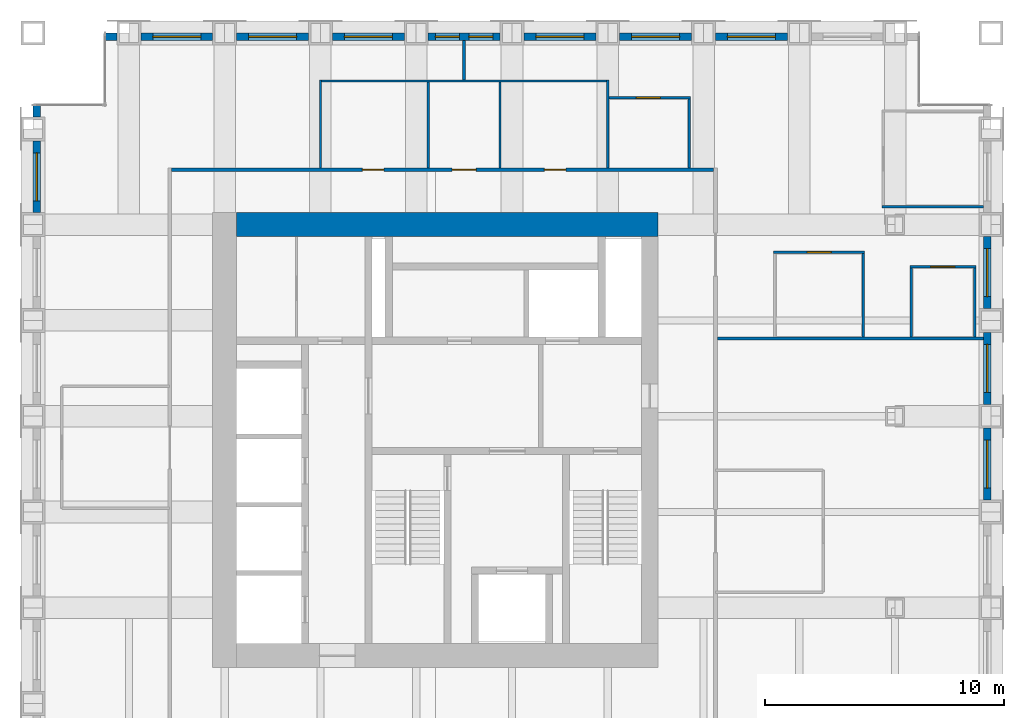
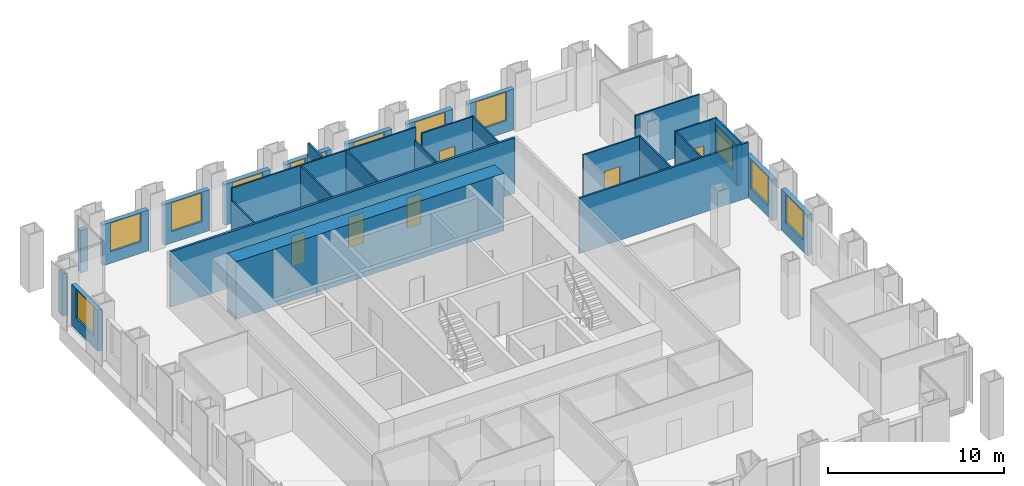
# One storey, part 10 of 13: 30 walls, 12 windows, 6 doors, 18 openings.
"""IFC4 building model written with IfcOpenShell, lengths in metres."""

from ifc_helpers import new_model, si_unit, direction, frame, frame_2d, origin, place, context, subcontext, project, spatial, rectangle, extrude, material, layer, layer_set, type_object, element, fill, save


model = new_model("IFC4")

# Units and contexts
model_context = context("Model", 3, precision=1e-05, world=origin(), true_north=direction((0.0, 1.0)))
body_context = subcontext(model_context, "Body", "Model", "MODEL_VIEW")
ifc_project = project(units=[si_unit("LENGTHUNIT", "METRE"), si_unit("AREAUNIT", "SQUARE_METRE"), si_unit("VOLUMEUNIT", "CUBIC_METRE"), si_unit("PLANEANGLEUNIT", "RADIAN"), si_unit("MASSUNIT", "GRAM", prefix="KILO")], contexts=[model_context])

# Site, building, storey
site_placement = place(None, origin())
site = spatial("IfcSite", under=ifc_project, at=site_placement, CompositionType="ELEMENT")
building_placement = place(site_placement, origin())
building = spatial("IfcBuilding", under=site, at=building_placement, Name="Rimbunsela Tower", CompositionType="ELEMENT")
storey_placement = place(building_placement, frame((0.0, 0.0, 254.199951171875)))
storey = spatial("IfcBuildingStorey", under=building, at=storey_placement, Name="L61", CompositionType="ELEMENT", Elevation=254.199951171875)

# Wall
ifc_material_1 = material(Name="Concrete fc' 80 MPa", Category="concrete")
ifc_layer_1 = layer(ifc_material_1, 1.0)
ifc_layer_set_1 = layer_set([ifc_layer_1], Name="Core wall 1000")
wall_type_1 = type_object("IfcWallType", Name="Core wall 1000", PredefinedType="SHEAR", material=ifc_layer_set_1)
wall_1_placement = place(storey_placement, frame((18.5, 36.0, -0.14990234375), z_axis=(0.0, 0.0, 1.0), x_axis=(1.0, 0.0, 0.0)))
element("IfcWall", 1, at=wall_1_placement, inside=storey, type_object=wall_type_1, Name="Core wall north", PredefinedType="SHEAR", context=body_context, shape_type="SweptSolid", body=[
    extrude(rectangle(XDim=17.60009765625, YDim=1.0, at=frame_2d((8.800048828125, 0.0))), origin(), (0.0, 0.0, 1.0), 4.0),
])

# Wall, opening, door
ifc_material_2 = material(Name="Gypsum board on steel studs", Category="steel")
ifc_layer_2 = layer(ifc_material_2, 0.10009765625)
ifc_layer_set_2 = layer_set([ifc_layer_2], Name="Office partition 100")
wall_type_2 = type_object("IfcWallType", Name="Office partition 100", PredefinedType="PARTITIONING", material=ifc_layer_set_2)
wall_2_placement = place(storey_placement, frame((46.625, 34.25, 0.0), z_axis=(0.0, 0.0, 1.0), x_axis=(1.0, 0.0, 0.0)))
wall_2 = element("IfcWall", 2, at=wall_2_placement, inside=storey, type_object=wall_type_2, Name="Office partition", PredefinedType="PARTITIONING", context=body_context, shape_type="SweptSolid", body=[
    extrude(rectangle(XDim=2.75, YDim=0.10009765625, at=frame_2d((1.375, 0.0))), origin(), (0.0, 0.0, 1.0), 3.85009765625),
])
opening_1_placement = place(wall_2_placement, frame((0.875, 0.0, 0.0)))
opening_1 = element("IfcOpeningElement", 3, at=opening_1_placement, cuts=wall_2, Name="Opening D16", PredefinedType="OPENING", context=body_context, shape_type="SweptSolid", body=[
    extrude(rectangle(XDim=1.0, YDim=2.199951171875, at=frame_2d((0.5, 1.10009765625))), frame((0.0, 0.06005859375, 0.0), z_axis=(0.0, -1.0, 0.0), x_axis=(1.0, 0.0, 0.0)), (0.0, 0.0, 1.0), 0.1201171875),
])
ifc_material_3 = material(Name="Timber door", Category="wood")
door_type_1 = type_object("IfcDoorType", Name="Office door 1000", OperationType="SINGLE_SWING_LEFT", PredefinedType="DOOR", material=ifc_material_3)
door_1_placement = place(opening_1_placement, origin())
door_1 = element("IfcDoor", 4, at=door_1_placement, inside=storey, type_object=door_type_1, Name="Office door", OperationType="SINGLE_SWING_LEFT", OverallHeight=2.199951171875, OverallWidth=1.0, PredefinedType="DOOR", context=body_context, shape_type="SweptSolid", body=[
    extrude(rectangle(XDim=1.0, YDim=2.199951171875, at=frame_2d((0.5, 1.10009765625))), frame((0.0, 0.02490234375, 0.0), z_axis=(0.0, -1.0, 0.0), x_axis=(1.0, 0.0, 0.0)), (0.0, 0.0, 1.0), 0.050048828125),
])
fill(opening_1, door_1)

wall_3_placement = place(storey_placement, frame((40.925048828125, 34.85009765625, 0.0), z_axis=(0.0, 0.0, 1.0), x_axis=(1.0, 0.0, 0.0)))
wall_3 = element("IfcWall", 5, at=wall_3_placement, inside=storey, type_object=wall_type_2, Name="Office partition", PredefinedType="PARTITIONING", context=body_context, shape_type="SweptSolid", body=[
    extrude(rectangle(XDim=3.800048828125, YDim=0.10009765625, at=frame_2d((1.89990234375, 0.0))), origin(), (0.0, 0.0, 1.0), 3.85009765625),
])
opening_2_placement = place(wall_3_placement, frame((1.39990234375, 0.0, 0.0)))
opening_2 = element("IfcOpeningElement", 6, at=opening_2_placement, cuts=wall_3, Name="Opening D17", PredefinedType="OPENING", context=body_context, shape_type="SweptSolid", body=[
    extrude(rectangle(XDim=1.0, YDim=2.199951171875, at=frame_2d((0.5, 1.10009765625))), frame((0.0, 0.06005859375, 0.0), z_axis=(0.0, -1.0, 0.0), x_axis=(1.0, 0.0, 0.0)), (0.0, 0.0, 1.0), 0.1201171875),
])
ifc_material_4 = material(Name="Glazed aluminium door", Category="aluminium")
door_type_2 = type_object("IfcDoorType", Name="Meeting room door 1000 glazed", OperationType="SINGLE_SWING_RIGHT", PredefinedType="DOOR", material=ifc_material_4)
door_2_placement = place(opening_2_placement, origin())
door_2 = element("IfcDoor", 7, at=door_2_placement, inside=storey, type_object=door_type_2, Name="Meeting room door", OperationType="SINGLE_SWING_RIGHT", OverallHeight=2.199951171875, OverallWidth=1.0, PredefinedType="DOOR", context=body_context, shape_type="SweptSolid", body=[
    extrude(rectangle(XDim=1.0, YDim=2.199951171875, at=frame_2d((0.5, 1.10009765625))), frame((0.0, 0.02490234375, 0.0), z_axis=(0.0, -1.0, 0.0), x_axis=(1.0, 0.0, 0.0)), (0.0, 0.0, 1.0), 0.050048828125),
])
fill(opening_2, door_2)

# Wall
wall_4_placement = place(storey_placement, frame((45.449951171875, 36.75, 0.0), z_axis=(0.0, 0.0, 1.0), x_axis=(1.0, 0.0, 0.0)))
element("IfcWall", 8, at=wall_4_placement, inside=storey, type_object=wall_type_2, Name="Office partition", PredefinedType="PARTITIONING", context=body_context, shape_type="SweptSolid", body=[
    extrude(rectangle(XDim=4.25, YDim=0.10009765625, at=frame_2d((2.125, 0.0))), origin(), (0.0, 0.0, 1.0), 3.85009765625),
])

# Wall, opening, door
wall_5_placement = place(storey_placement, frame((34.050048828125, 41.300048828125, 0.0), z_axis=(0.0, 0.0, 1.0), x_axis=(1.0, 0.0, 0.0)))
wall_5 = element("IfcWall", 9, at=wall_5_placement, inside=storey, type_object=wall_type_2, Name="Office partition", PredefinedType="PARTITIONING", context=body_context, shape_type="SweptSolid", body=[
    extrude(rectangle(XDim=3.39990234375, YDim=0.10009765625, at=frame_2d((1.699951171875, 0.0))), origin(), (0.0, 0.0, 1.0), 3.85009765625),
])
opening_3_placement = place(wall_5_placement, frame((1.14990234375, 0.0, 0.0)))
opening_3 = element("IfcOpeningElement", 10, at=opening_3_placement, cuts=wall_5, Name="Opening D16", PredefinedType="OPENING", context=body_context, shape_type="SweptSolid", body=[
    extrude(rectangle(XDim=1.0, YDim=2.199951171875, at=frame_2d((0.5, 1.10009765625))), frame((0.0, 0.06005859375, 0.0), z_axis=(0.0, -1.0, 0.0), x_axis=(1.0, 0.0, 0.0)), (0.0, 0.0, 1.0), 0.1201171875),
])
door_3_placement = place(opening_3_placement, origin())
door_3 = element("IfcDoor", 11, at=door_3_placement, inside=storey, type_object=door_type_1, Name="Office door", OperationType="SINGLE_SWING_LEFT", OverallHeight=2.199951171875, OverallWidth=1.0, PredefinedType="DOOR", context=body_context, shape_type="SweptSolid", body=[
    extrude(rectangle(XDim=1.0, YDim=2.199951171875, at=frame_2d((0.5, 1.10009765625))), frame((0.0, 0.02490234375, 0.0), z_axis=(0.0, -1.0, 0.0), x_axis=(1.0, 0.0, 0.0)), (0.0, 0.0, 1.0), 0.050048828125),
])
fill(opening_3, door_3)

# Walls
wall_6_placement = place(storey_placement, frame((37.39990234375, 38.375, 0.0), z_axis=(0.0, 0.0, 1.0), x_axis=(0.0, 1.0, 0.0)))
element("IfcWall", 12, at=wall_6_placement, inside=storey, type_object=wall_type_2, Name="Office partition", PredefinedType="PARTITIONING", context=body_context, shape_type="SweptSolid", body=[
    extrude(rectangle(XDim=2.875, YDim=0.10009765625, at=frame_2d((1.4375, 0.0))), origin(), (0.0, 0.0, 1.0), 3.85009765625),
])
wall_7_placement = place(storey_placement, frame((44.675048828125, 31.31005859375, 0.0), z_axis=(0.0, 0.0, 1.0), x_axis=(0.0, 1.0, 0.0)))
element("IfcWall", 13, at=wall_7_placement, inside=storey, type_object=wall_type_2, Name="Office partition", PredefinedType="PARTITIONING", context=body_context, shape_type="SweptSolid", body=[
    extrude(rectangle(XDim=3.489990234375, YDim=0.10009765625, at=frame_2d((1.7451171875, 0.0))), origin(), (0.0, 0.0, 1.0), 3.85009765625),
])
for number, where, z_axis, x_axis, name in (
    (14, (46.675048828125, 31.31005859375, 0.0), (0.0, 0.0, 1.0), (0.0, 1.0, 0.0), "Office partition"),
    (15, (49.324951171875, 31.31005859375, 0.0), (0.0, 0.0, 1.0), (0.0, 1.0, 0.0), "Office partition"),
):
    element("IfcWall", number, at=place(storey_placement, frame(where, z_axis=z_axis, x_axis=x_axis)), inside=storey, type_object=wall_type_2, Name=name, PredefinedType="PARTITIONING", context=body_context, shape_type="SweptSolid", body=[
        extrude(rectangle(XDim=2.889892578125, YDim=0.10009765625, at=frame_2d((1.44482421875, 0.0))), origin(), (0.0, 0.0, 1.0), 3.85009765625),
    ])

# Wall, opening, window
ifc_material_5 = material(Name="Precast concrete fc' 35 MPa", Category="concrete")
ifc_layer_3 = layer(ifc_material_5, 0.300048828125)
ifc_layer_set_3 = layer_set([ifc_layer_3], Name="Precast concrete fc' 35 MPa")
wall_type_3 = type_object("IfcWallType", Name="Precast facade panel 300", PredefinedType="ELEMENTEDWALL", material=ifc_layer_set_3)
wall_8_placement = place(storey_placement, frame((49.85009765625, 24.5, 0.0), z_axis=(0.0, 0.0, 1.0), x_axis=(0.0, 1.0, 0.0)))
wall_8 = element("IfcWall", 16, at=wall_8_placement, inside=storey, type_object=wall_type_3, Name="Facade panel E L61", PredefinedType="ELEMENTEDWALL", context=body_context, shape_type="SweptSolid", body=[
    extrude(rectangle(XDim=3.0, YDim=0.300048828125, at=frame_2d((1.5, 0.0))), origin(), (0.0, 0.0, 1.0), 2.85009765625),
])
opening_4_placement = place(wall_8_placement, frame((0.5, 0.0, 0.800048828125)))
opening_4 = element("IfcOpeningElement", 17, at=opening_4_placement, cuts=wall_8, Name="Opening W1", PredefinedType="OPENING", context=body_context, shape_type="SweptSolid", body=[
    extrude(rectangle(XDim=2.0, YDim=2.0, at=frame_2d((1.0, 1.0))), frame((0.0, 0.159912109375, 0.0), z_axis=(0.0, -1.0, 0.0), x_axis=(1.0, 0.0, 0.0)), (0.0, 0.0, 1.0), 0.320068359375),
])
ifc_material_6 = material(Name="Clear glass in aluminium frame", Category="aluminium")
window_type_1 = type_object("IfcWindowType", Name="Window W1 2000x2000", PartitioningType="DOUBLE_PANEL_VERTICAL", PredefinedType="WINDOW", material=ifc_material_6)
window_1_placement = place(opening_4_placement, origin())
window_1 = element("IfcWindow", 18, at=window_1_placement, inside=storey, type_object=window_type_1, Name="Window L61", OverallHeight=2.0, OverallWidth=2.0, PartitioningType="SINGLE_PANEL", PredefinedType="WINDOW", context=body_context, shape_type="SweptSolid", body=[
    extrude(rectangle(XDim=2.0, YDim=2.0, at=frame_2d((1.0, 1.0))), frame((0.0, 0.030029296875, 0.0), z_axis=(0.0, -1.0, 0.0), x_axis=(1.0, 0.0, 0.0)), (0.0, 0.0, 1.0), 0.06005859375),
])
fill(opening_4, window_1)

wall_9_placement = place(storey_placement, frame((49.85009765625, 28.5, 0.0), z_axis=(0.0, 0.0, 1.0), x_axis=(0.0, 1.0, 0.0)))
wall_9 = element("IfcWall", 19, at=wall_9_placement, inside=storey, type_object=wall_type_3, Name="Facade panel E L61", PredefinedType="ELEMENTEDWALL", context=body_context, shape_type="SweptSolid", body=[
    extrude(rectangle(XDim=3.0, YDim=0.300048828125, at=frame_2d((1.5, 0.0))), origin(), (0.0, 0.0, 1.0), 2.85009765625),
])
opening_5_placement = place(wall_9_placement, frame((0.5, 0.0, 0.800048828125)))
opening_5 = element("IfcOpeningElement", 20, at=opening_5_placement, cuts=wall_9, Name="Opening W1", PredefinedType="OPENING", context=body_context, shape_type="SweptSolid", body=[
    extrude(rectangle(XDim=2.0, YDim=2.0, at=frame_2d((1.0, 1.0))), frame((0.0, 0.159912109375, 0.0), z_axis=(0.0, -1.0, 0.0), x_axis=(1.0, 0.0, 0.0)), (0.0, 0.0, 1.0), 0.320068359375),
])
window_2_placement = place(opening_5_placement, origin())
window_2 = element("IfcWindow", 21, at=window_2_placement, inside=storey, type_object=window_type_1, Name="Window L61", OverallHeight=2.0, OverallWidth=2.0, PartitioningType="SINGLE_PANEL", PredefinedType="WINDOW", context=body_context, shape_type="SweptSolid", body=[
    extrude(rectangle(XDim=2.0, YDim=2.0, at=frame_2d((1.0, 1.0))), frame((0.0, 0.030029296875, 0.0), z_axis=(0.0, -1.0, 0.0), x_axis=(1.0, 0.0, 0.0)), (0.0, 0.0, 1.0), 0.06005859375),
])
fill(opening_5, window_2)

wall_10_placement = place(storey_placement, frame((49.85009765625, 32.5, 0.0), z_axis=(0.0, 0.0, 1.0), x_axis=(0.0, 1.0, 0.0)))
wall_10 = element("IfcWall", 22, at=wall_10_placement, inside=storey, type_object=wall_type_3, Name="Facade panel E L61", PredefinedType="ELEMENTEDWALL", context=body_context, shape_type="SweptSolid", body=[
    extrude(rectangle(XDim=3.0, YDim=0.300048828125, at=frame_2d((1.5, 0.0))), origin(), (0.0, 0.0, 1.0), 2.85009765625),
])
opening_6_placement = place(wall_10_placement, frame((0.5, 0.0, 0.800048828125)))
opening_6 = element("IfcOpeningElement", 23, at=opening_6_placement, cuts=wall_10, Name="Opening W1", PredefinedType="OPENING", context=body_context, shape_type="SweptSolid", body=[
    extrude(rectangle(XDim=2.0, YDim=2.0, at=frame_2d((1.0, 1.0))), frame((0.0, 0.159912109375, 0.0), z_axis=(0.0, -1.0, 0.0), x_axis=(1.0, 0.0, 0.0)), (0.0, 0.0, 1.0), 0.320068359375),
])
window_3_placement = place(opening_6_placement, origin())
window_3 = element("IfcWindow", 24, at=window_3_placement, inside=storey, type_object=window_type_1, Name="Window L61", OverallHeight=2.0, OverallWidth=2.0, PartitioningType="SINGLE_PANEL", PredefinedType="WINDOW", context=body_context, shape_type="SweptSolid", body=[
    extrude(rectangle(XDim=2.0, YDim=2.0, at=frame_2d((1.0, 1.0))), frame((0.0, 0.030029296875, 0.0), z_axis=(0.0, -1.0, 0.0), x_axis=(1.0, 0.0, 0.0)), (0.0, 0.0, 1.0), 0.06005859375),
])
fill(opening_6, window_3)

# Wall
wall_11_placement = place(storey_placement, frame((13.5, 43.85009765625, 0.0), z_axis=(0.0, 0.0, 1.0), x_axis=(-1.0, 0.0, 0.0)))
element("IfcWall", 25, at=wall_11_placement, inside=storey, type_object=wall_type_3, Name="Facade panel N L61", PredefinedType="ELEMENTEDWALL", context=body_context, shape_type="SweptSolid", body=[
    extrude(rectangle(XDim=0.469970703125, YDim=0.300048828125, at=frame_2d((0.23486328125, 0.0))), origin(), (0.0, 0.0, 1.0), 2.949951171875),
])

# Wall, opening, window
wall_12_placement = place(storey_placement, frame((17.5, 43.85009765625, 0.0), z_axis=(0.0, 0.0, 1.0), x_axis=(-1.0, 0.0, 0.0)))
wall_12 = element("IfcWall", 26, at=wall_12_placement, inside=storey, type_object=wall_type_3, Name="Facade panel N L61", PredefinedType="ELEMENTEDWALL", context=body_context, shape_type="SweptSolid", body=[
    extrude(rectangle(XDim=3.0, YDim=0.300048828125, at=frame_2d((1.5, 0.0))), origin(), (0.0, 0.0, 1.0), 2.85009765625),
])
opening_7_placement = place(wall_12_placement, frame((0.5, 0.0, 0.800048828125)))
opening_7 = element("IfcOpeningElement", 27, at=opening_7_placement, cuts=wall_12, Name="Opening W1", PredefinedType="OPENING", context=body_context, shape_type="SweptSolid", body=[
    extrude(rectangle(XDim=2.0, YDim=2.0, at=frame_2d((1.0, 1.0))), frame((0.0, 0.159912109375, 0.0), z_axis=(0.0, -1.0, 0.0), x_axis=(1.0, 0.0, 0.0)), (0.0, 0.0, 1.0), 0.320068359375),
])
window_4_placement = place(opening_7_placement, origin())
window_4 = element("IfcWindow", 28, at=window_4_placement, inside=storey, type_object=window_type_1, Name="Window L61", OverallHeight=2.0, OverallWidth=2.0, PartitioningType="SINGLE_PANEL", PredefinedType="WINDOW", context=body_context, shape_type="SweptSolid", body=[
    extrude(rectangle(XDim=2.0, YDim=2.0, at=frame_2d((1.0, 1.0))), frame((0.0, 0.030029296875, 0.0), z_axis=(0.0, -1.0, 0.0), x_axis=(1.0, 0.0, 0.0)), (0.0, 0.0, 1.0), 0.06005859375),
])
fill(opening_7, window_4)

wall_13_placement = place(storey_placement, frame((21.5, 43.85009765625, 0.0), z_axis=(0.0, 0.0, 1.0), x_axis=(-1.0, 0.0, 0.0)))
wall_13 = element("IfcWall", 29, at=wall_13_placement, inside=storey, type_object=wall_type_3, Name="Facade panel N L61", PredefinedType="ELEMENTEDWALL", context=body_context, shape_type="SweptSolid", body=[
    extrude(rectangle(XDim=3.0, YDim=0.300048828125, at=frame_2d((1.5, 0.0))), origin(), (0.0, 0.0, 1.0), 2.85009765625),
])
opening_8_placement = place(wall_13_placement, frame((0.5, 0.0, 0.800048828125)))
opening_8 = element("IfcOpeningElement", 30, at=opening_8_placement, cuts=wall_13, Name="Opening W1", PredefinedType="OPENING", context=body_context, shape_type="SweptSolid", body=[
    extrude(rectangle(XDim=2.0, YDim=2.0, at=frame_2d((1.0, 1.0))), frame((0.0, 0.159912109375, 0.0), z_axis=(0.0, -1.0, 0.0), x_axis=(1.0, 0.0, 0.0)), (0.0, 0.0, 1.0), 0.320068359375),
])
window_5_placement = place(opening_8_placement, origin())
window_5 = element("IfcWindow", 31, at=window_5_placement, inside=storey, type_object=window_type_1, Name="Window L61", OverallHeight=2.0, OverallWidth=2.0, PartitioningType="SINGLE_PANEL", PredefinedType="WINDOW", context=body_context, shape_type="SweptSolid", body=[
    extrude(rectangle(XDim=2.0, YDim=2.0, at=frame_2d((1.0, 1.0))), frame((0.0, 0.030029296875, 0.0), z_axis=(0.0, -1.0, 0.0), x_axis=(1.0, 0.0, 0.0)), (0.0, 0.0, 1.0), 0.06005859375),
])
fill(opening_8, window_5)

wall_14_placement = place(storey_placement, frame((25.5, 43.85009765625, 0.0), z_axis=(0.0, 0.0, 1.0), x_axis=(-1.0, 0.0, 0.0)))
wall_14 = element("IfcWall", 32, at=wall_14_placement, inside=storey, type_object=wall_type_3, Name="Facade panel N L61", PredefinedType="ELEMENTEDWALL", context=body_context, shape_type="SweptSolid", body=[
    extrude(rectangle(XDim=3.0, YDim=0.300048828125, at=frame_2d((1.5, 0.0))), origin(), (0.0, 0.0, 1.0), 2.85009765625),
])
opening_9_placement = place(wall_14_placement, frame((0.5, 0.0, 0.800048828125)))
opening_9 = element("IfcOpeningElement", 33, at=opening_9_placement, cuts=wall_14, Name="Opening W1", PredefinedType="OPENING", context=body_context, shape_type="SweptSolid", body=[
    extrude(rectangle(XDim=2.0, YDim=2.0, at=frame_2d((1.0, 1.0))), frame((0.0, 0.159912109375, 0.0), z_axis=(0.0, -1.0, 0.0), x_axis=(1.0, 0.0, 0.0)), (0.0, 0.0, 1.0), 0.320068359375),
])
window_6_placement = place(opening_9_placement, origin())
window_6 = element("IfcWindow", 34, at=window_6_placement, inside=storey, type_object=window_type_1, Name="Window L61", OverallHeight=2.0, OverallWidth=2.0, PartitioningType="SINGLE_PANEL", PredefinedType="WINDOW", context=body_context, shape_type="SweptSolid", body=[
    extrude(rectangle(XDim=2.0, YDim=2.0, at=frame_2d((1.0, 1.0))), frame((0.0, 0.030029296875, 0.0), z_axis=(0.0, -1.0, 0.0), x_axis=(1.0, 0.0, 0.0)), (0.0, 0.0, 1.0), 0.06005859375),
])
fill(opening_9, window_6)

# Wall, openings, windows
wall_15_placement = place(storey_placement, frame((29.5, 43.85009765625, 0.0), z_axis=(0.0, 0.0, 1.0), x_axis=(-1.0, 0.0, 0.0)))
wall_15 = element("IfcWall", 35, at=wall_15_placement, inside=storey, type_object=wall_type_3, Name="Facade panel N L61", PredefinedType="ELEMENTEDWALL", context=body_context, shape_type="SweptSolid", body=[
    extrude(rectangle(XDim=3.0, YDim=0.300048828125, at=frame_2d((1.5, 0.0))), origin(), (0.0, 0.0, 1.0), 2.85009765625),
])
opening_10_placement = place(wall_15_placement, frame((1.699951171875, 0.0, 0.800048828125)))
opening_10 = element("IfcOpeningElement", 36, at=opening_10_placement, cuts=wall_15, Name="Opening W5", PredefinedType="OPENING", context=body_context, shape_type="SweptSolid", body=[
    extrude(rectangle(XDim=1.0, YDim=2.0, at=frame_2d((0.5, 1.0))), frame((0.0, 0.159912109375, 0.0), z_axis=(0.0, -1.0, 0.0), x_axis=(1.0, 0.0, 0.0)), (0.0, 0.0, 1.0), 0.320068359375),
])
opening_11_placement = place(wall_15_placement, frame((0.300048828125, 0.0, 0.800048828125)))
opening_11 = element("IfcOpeningElement", 37, at=opening_11_placement, cuts=wall_15, Name="Opening W5", PredefinedType="OPENING", context=body_context, shape_type="SweptSolid", body=[
    extrude(rectangle(XDim=1.0, YDim=2.0, at=frame_2d((0.5, 1.0))), frame((0.0, 0.159912109375, 0.0), z_axis=(0.0, -1.0, 0.0), x_axis=(1.0, 0.0, 0.0)), (0.0, 0.0, 1.0), 0.320068359375),
])
ifc_material_7 = material(Name="Clear glass in aluminium frame", Category="aluminium")
window_type_2 = type_object("IfcWindowType", Name="Window W5 1000x2000", PartitioningType="SINGLE_PANEL", PredefinedType="WINDOW", material=ifc_material_7)
window_7_placement = place(opening_10_placement, origin())
window_7 = element("IfcWindow", 38, at=window_7_placement, inside=storey, type_object=window_type_2, Name="Window L61", OverallHeight=2.0, OverallWidth=1.0, PartitioningType="SINGLE_PANEL", PredefinedType="WINDOW", context=body_context, shape_type="SweptSolid", body=[
    extrude(rectangle(XDim=1.0, YDim=2.0, at=frame_2d((0.5, 1.0))), frame((0.0, 0.030029296875, 0.0), z_axis=(0.0, -1.0, 0.0), x_axis=(1.0, 0.0, 0.0)), (0.0, 0.0, 1.0), 0.06005859375),
])
fill(opening_10, window_7)
window_8_placement = place(opening_11_placement, origin())
window_8 = element("IfcWindow", 39, at=window_8_placement, inside=storey, type_object=window_type_2, Name="Window L61", OverallHeight=2.0, OverallWidth=1.0, PartitioningType="SINGLE_PANEL", PredefinedType="WINDOW", context=body_context, shape_type="SweptSolid", body=[
    extrude(rectangle(XDim=1.0, YDim=2.0, at=frame_2d((0.5, 1.0))), frame((0.0, 0.030029296875, 0.0), z_axis=(0.0, -1.0, 0.0), x_axis=(1.0, 0.0, 0.0)), (0.0, 0.0, 1.0), 0.06005859375),
])
fill(opening_11, window_8)

# Wall, opening, window
wall_16_placement = place(storey_placement, frame((33.5, 43.85009765625, 0.0), z_axis=(0.0, 0.0, 1.0), x_axis=(-1.0, 0.0, 0.0)))
wall_16 = element("IfcWall", 40, at=wall_16_placement, inside=storey, type_object=wall_type_3, Name="Facade panel N L61", PredefinedType="ELEMENTEDWALL", context=body_context, shape_type="SweptSolid", body=[
    extrude(rectangle(XDim=3.0, YDim=0.300048828125, at=frame_2d((1.5, 0.0))), origin(), (0.0, 0.0, 1.0), 2.85009765625),
])
opening_12_placement = place(wall_16_placement, frame((0.5, 0.0, 0.800048828125)))
opening_12 = element("IfcOpeningElement", 41, at=opening_12_placement, cuts=wall_16, Name="Opening W1", PredefinedType="OPENING", context=body_context, shape_type="SweptSolid", body=[
    extrude(rectangle(XDim=2.0, YDim=2.0, at=frame_2d((1.0, 1.0))), frame((0.0, 0.159912109375, 0.0), z_axis=(0.0, -1.0, 0.0), x_axis=(1.0, 0.0, 0.0)), (0.0, 0.0, 1.0), 0.320068359375),
])
window_9_placement = place(opening_12_placement, origin())
window_9 = element("IfcWindow", 42, at=window_9_placement, inside=storey, type_object=window_type_1, Name="Window L61", OverallHeight=2.0, OverallWidth=2.0, PartitioningType="SINGLE_PANEL", PredefinedType="WINDOW", context=body_context, shape_type="SweptSolid", body=[
    extrude(rectangle(XDim=2.0, YDim=2.0, at=frame_2d((1.0, 1.0))), frame((0.0, 0.030029296875, 0.0), z_axis=(0.0, -1.0, 0.0), x_axis=(1.0, 0.0, 0.0)), (0.0, 0.0, 1.0), 0.06005859375),
])
fill(opening_12, window_9)

wall_17_placement = place(storey_placement, frame((37.5, 43.85009765625, 0.0), z_axis=(0.0, 0.0, 1.0), x_axis=(-1.0, 0.0, 0.0)))
wall_17 = element("IfcWall", 43, at=wall_17_placement, inside=storey, type_object=wall_type_3, Name="Facade panel N L61", PredefinedType="ELEMENTEDWALL", context=body_context, shape_type="SweptSolid", body=[
    extrude(rectangle(XDim=3.0, YDim=0.300048828125, at=frame_2d((1.5, 0.0))), origin(), (0.0, 0.0, 1.0), 2.85009765625),
])
opening_13_placement = place(wall_17_placement, frame((0.5, 0.0, 0.800048828125)))
opening_13 = element("IfcOpeningElement", 44, at=opening_13_placement, cuts=wall_17, Name="Opening W1", PredefinedType="OPENING", context=body_context, shape_type="SweptSolid", body=[
    extrude(rectangle(XDim=2.0, YDim=2.0, at=frame_2d((1.0, 1.0))), frame((0.0, 0.159912109375, 0.0), z_axis=(0.0, -1.0, 0.0), x_axis=(1.0, 0.0, 0.0)), (0.0, 0.0, 1.0), 0.320068359375),
])
window_10_placement = place(opening_13_placement, origin())
window_10 = element("IfcWindow", 45, at=window_10_placement, inside=storey, type_object=window_type_1, Name="Window L61", OverallHeight=2.0, OverallWidth=2.0, PartitioningType="SINGLE_PANEL", PredefinedType="WINDOW", context=body_context, shape_type="SweptSolid", body=[
    extrude(rectangle(XDim=2.0, YDim=2.0, at=frame_2d((1.0, 1.0))), frame((0.0, 0.030029296875, 0.0), z_axis=(0.0, -1.0, 0.0), x_axis=(1.0, 0.0, 0.0)), (0.0, 0.0, 1.0), 0.06005859375),
])
fill(opening_13, window_10)

wall_18_placement = place(storey_placement, frame((41.5, 43.85009765625, 0.0), z_axis=(0.0, 0.0, 1.0), x_axis=(-1.0, 0.0, 0.0)))
wall_18 = element("IfcWall", 46, at=wall_18_placement, inside=storey, type_object=wall_type_3, Name="Facade panel N L61", PredefinedType="ELEMENTEDWALL", context=body_context, shape_type="SweptSolid", body=[
    extrude(rectangle(XDim=3.0, YDim=0.300048828125, at=frame_2d((1.5, 0.0))), origin(), (0.0, 0.0, 1.0), 2.85009765625),
])
opening_14_placement = place(wall_18_placement, frame((0.5, 0.0, 0.800048828125)))
opening_14 = element("IfcOpeningElement", 47, at=opening_14_placement, cuts=wall_18, Name="Opening W1", PredefinedType="OPENING", context=body_context, shape_type="SweptSolid", body=[
    extrude(rectangle(XDim=2.0, YDim=2.0, at=frame_2d((1.0, 1.0))), frame((0.0, 0.159912109375, 0.0), z_axis=(0.0, -1.0, 0.0), x_axis=(1.0, 0.0, 0.0)), (0.0, 0.0, 1.0), 0.320068359375),
])
window_11_placement = place(opening_14_placement, origin())
window_11 = element("IfcWindow", 48, at=window_11_placement, inside=storey, type_object=window_type_1, Name="Window L61", OverallHeight=2.0, OverallWidth=2.0, PartitioningType="SINGLE_PANEL", PredefinedType="WINDOW", context=body_context, shape_type="SweptSolid", body=[
    extrude(rectangle(XDim=2.0, YDim=2.0, at=frame_2d((1.0, 1.0))), frame((0.0, 0.030029296875, 0.0), z_axis=(0.0, -1.0, 0.0), x_axis=(1.0, 0.0, 0.0)), (0.0, 0.0, 1.0), 0.06005859375),
])
fill(opening_14, window_11)

wall_19_placement = place(storey_placement, frame((10.14990234375, 39.5, 0.0), z_axis=(0.0, 0.0, 1.0), x_axis=(0.0, -1.0, 0.0)))
wall_19 = element("IfcWall", 49, at=wall_19_placement, inside=storey, type_object=wall_type_3, Name="Facade panel W L61", PredefinedType="ELEMENTEDWALL", context=body_context, shape_type="SweptSolid", body=[
    extrude(rectangle(XDim=3.0, YDim=0.300048828125, at=frame_2d((1.5, 0.0))), origin(), (0.0, 0.0, 1.0), 2.85009765625),
])
opening_15_placement = place(wall_19_placement, frame((0.5, 0.0, 0.800048828125)))
opening_15 = element("IfcOpeningElement", 50, at=opening_15_placement, cuts=wall_19, Name="Opening W1", PredefinedType="OPENING", context=body_context, shape_type="SweptSolid", body=[
    extrude(rectangle(XDim=2.0, YDim=2.0, at=frame_2d((1.0, 1.0))), frame((0.0, 0.159912109375, 0.0), z_axis=(0.0, -1.0, 0.0), x_axis=(1.0, 0.0, 0.0)), (0.0, 0.0, 1.0), 0.320068359375),
])
window_12_placement = place(opening_15_placement, origin())
window_12 = element("IfcWindow", 51, at=window_12_placement, inside=storey, type_object=window_type_1, Name="Window L61", OverallHeight=2.0, OverallWidth=2.0, PartitioningType="SINGLE_PANEL", PredefinedType="WINDOW", context=body_context, shape_type="SweptSolid", body=[
    extrude(rectangle(XDim=2.0, YDim=2.0, at=frame_2d((1.0, 1.0))), frame((0.0, 0.030029296875, 0.0), z_axis=(0.0, -1.0, 0.0), x_axis=(1.0, 0.0, 0.0)), (0.0, 0.0, 1.0), 0.06005859375),
])
fill(opening_15, window_12)

# Wall
wall_20_placement = place(storey_placement, frame((10.14990234375, 40.969970703125, 0.0), z_axis=(0.0, 0.0, 1.0), x_axis=(0.0, -1.0, 0.0)))
element("IfcWall", 52, at=wall_20_placement, inside=storey, type_object=wall_type_3, Name="Facade panel W L61", PredefinedType="ELEMENTEDWALL", context=body_context, shape_type="SweptSolid", body=[
    extrude(rectangle(XDim=0.469970703125, YDim=0.300048828125, at=frame_2d((0.23486328125, 0.0))), origin(), (0.0, 0.0, 1.0), 2.949951171875),
])

# Wall, openings, doors
ifc_material_8 = material(Name="Fire-rated gypsum board on steel studs, EI 60", Category="steel")
ifc_layer_4 = layer(ifc_material_8, 0.14990234375)
ifc_layer_set_4 = layer_set([ifc_layer_4], Name="Rated corridor wall 150")
wall_type_4 = type_object("IfcWallType", Name="Rated corridor wall 150", PredefinedType="PARTITIONING", material=ifc_layer_set_4)
wall_21_placement = place(storey_placement, frame((15.77490234375, 38.300048828125, 0.0), z_axis=(0.0, 0.0, 1.0), x_axis=(1.0, 0.0, 0.0)))
wall_21 = element("IfcWall", 53, at=wall_21_placement, inside=storey, type_object=wall_type_4, Name="Corridor wall north", PredefinedType="PARTITIONING", context=body_context, shape_type="SweptSolid", body=[
    extrude(rectangle(XDim=22.650146484375, YDim=0.14990234375, at=frame_2d((11.3251953125, 0.0))), origin(), (0.0, 0.0, 1.0), 3.85009765625),
])
opening_16_placement = place(wall_21_placement, frame((7.97509765625, 0.0, 0.0)))
opening_16 = element("IfcOpeningElement", 54, at=opening_16_placement, cuts=wall_21, Name="Opening D04", PredefinedType="OPENING", context=body_context, shape_type="SweptSolid", body=[
    extrude(rectangle(XDim=0.89990234375, YDim=2.10009765625, at=frame_2d((0.449951171875, 1.050048828125))), frame((0.0, 0.0849609375, 0.0), z_axis=(0.0, -1.0, 0.0), x_axis=(1.0, 0.0, 0.0)), (0.0, 0.0, 1.0), 0.169921875),
])
opening_17_placement = place(wall_21_placement, frame((11.72509765625, 0.0, 0.0)))
opening_17 = element("IfcOpeningElement", 55, at=opening_17_placement, cuts=wall_21, Name="Opening D05", PredefinedType="OPENING", context=body_context, shape_type="SweptSolid", body=[
    extrude(rectangle(XDim=1.0, YDim=2.10009765625, at=frame_2d((0.5, 1.050048828125))), frame((0.0, 0.0849609375, 0.0), z_axis=(0.0, -1.0, 0.0), x_axis=(1.0, 0.0, 0.0)), (0.0, 0.0, 1.0), 0.169921875),
])
opening_18_placement = place(wall_21_placement, frame((15.574951171875, 0.0, 0.0)))
opening_18 = element("IfcOpeningElement", 56, at=opening_18_placement, cuts=wall_21, Name="Opening D04", PredefinedType="OPENING", context=body_context, shape_type="SweptSolid", body=[
    extrude(rectangle(XDim=0.89990234375, YDim=2.10009765625, at=frame_2d((0.449951171875, 1.050048828125))), frame((0.0, 0.0849609375, 0.0), z_axis=(0.0, -1.0, 0.0), x_axis=(1.0, 0.0, 0.0)), (0.0, 0.0, 1.0), 0.169921875),
])
ifc_material_9 = material(Name="Timber door", Category="wood")
door_type_3 = type_object("IfcDoorType", Name="Accessible WC door 1000", OperationType="SLIDING_TO_LEFT", PredefinedType="DOOR", material=ifc_material_9)
door_4_placement = place(opening_17_placement, origin())
door_4 = element("IfcDoor", 57, at=door_4_placement, inside=storey, type_object=door_type_3, Name="Accessible WC door", OperationType="SLIDING_TO_LEFT", OverallHeight=2.10009765625, OverallWidth=1.0, PredefinedType="DOOR", context=body_context, shape_type="SweptSolid", body=[
    extrude(rectangle(XDim=1.0, YDim=2.10009765625, at=frame_2d((0.5, 1.050048828125))), frame((0.0, 0.02490234375, 0.0), z_axis=(0.0, -1.0, 0.0), x_axis=(1.0, 0.0, 0.0)), (0.0, 0.0, 1.0), 0.050048828125),
])
fill(opening_17, door_4)
ifc_material_10 = material(Name="Timber door", Category="wood")
door_type_4 = type_object("IfcDoorType", Name="Toilet door 900", OperationType="SINGLE_SWING_LEFT", PredefinedType="DOOR", material=ifc_material_10)
door_5_placement = place(opening_16_placement, origin())
door_5 = element("IfcDoor", 58, at=door_5_placement, inside=storey, type_object=door_type_4, Name="Female WC door", OperationType="SINGLE_SWING_LEFT", OverallHeight=2.10009765625, OverallWidth=0.89990234375, PredefinedType="DOOR", context=body_context, shape_type="SweptSolid", body=[
    extrude(rectangle(XDim=0.89990234375, YDim=2.10009765625, at=frame_2d((0.449951171875, 1.050048828125))), frame((0.0, 0.02490234375, 0.0), z_axis=(0.0, -1.0, 0.0), x_axis=(1.0, 0.0, 0.0)), (0.0, 0.0, 1.0), 0.050048828125),
])
fill(opening_16, door_5)
door_6_placement = place(opening_18_placement, origin())
door_6 = element("IfcDoor", 59, at=door_6_placement, inside=storey, type_object=door_type_4, Name="Male WC door", OperationType="SINGLE_SWING_LEFT", OverallHeight=2.10009765625, OverallWidth=0.89990234375, PredefinedType="DOOR", context=body_context, shape_type="SweptSolid", body=[
    extrude(rectangle(XDim=0.89990234375, YDim=2.10009765625, at=frame_2d((0.449951171875, 1.050048828125))), frame((0.0, 0.02490234375, 0.0), z_axis=(0.0, -1.0, 0.0), x_axis=(1.0, 0.0, 0.0)), (0.0, 0.0, 1.0), 0.050048828125),
])
fill(opening_18, door_6)

# Walls
ifc_material_11 = material(Name="Gypsum board on steel studs", Category="steel")
ifc_layer_5 = layer(ifc_material_11, 0.1201171875)
ifc_layer_set_5 = layer_set([ifc_layer_5], Name="Tenancy partition 120")
wall_type_5 = type_object("IfcWallType", Name="Tenancy partition 120", PredefinedType="PARTITIONING", material=ifc_layer_set_5)
wall_22_placement = place(storey_placement, frame((28.0, 42.050048828125, 0.0), z_axis=(0.0, 0.0, 1.0), x_axis=(0.0, 1.0, 0.0)))
element("IfcWall", 60, at=wall_22_placement, inside=storey, type_object=wall_type_5, Name="Tenancy partition north", PredefinedType="PARTITIONING", context=body_context, shape_type="SweptSolid", body=[
    extrude(rectangle(XDim=1.64990234375, YDim=0.1201171875, at=frame_2d((0.824951171875, 0.0))), origin(), (0.0, 0.0, 1.0), 3.85009765625),
])
wall_23_placement = place(storey_placement, frame((38.574951171875, 31.25, 0.0), z_axis=(0.0, 0.0, 1.0), x_axis=(1.0, 0.0, 0.0)))
element("IfcWall", 61, at=wall_23_placement, inside=storey, type_object=wall_type_5, Name="Tenancy partition", PredefinedType="PARTITIONING", context=body_context, shape_type="SweptSolid", body=[
    extrude(rectangle(XDim=11.125, YDim=0.1201171875, at=frame_2d((5.5625, 0.0))), origin(), (0.0, 0.0, 1.0), 3.85009765625),
])
ifc_material_12 = material(Name="Concrete blockwork", Category="masonry")
ifc_layer_6 = layer(ifc_material_12, 0.10009765625)
ifc_layer_set_6 = layer_set([ifc_layer_6], Name="Toilet partition 100")
wall_type_6 = type_object("IfcWallType", Name="Toilet partition 100", PredefinedType="PARTITIONING", material=ifc_layer_set_6)
for number, where, z_axis, x_axis, name in (
    (62, (22.0, 38.375, 0.0), (0.0, 0.0, 1.0), (0.0, 1.0, 0.0), "Toilet block wall west"),
    (63, (34.0, 38.375, 0.0), (0.0, 0.0, 1.0), (0.0, 1.0, 0.0), "Toilet block wall east"),
):
    element("IfcWall", number, at=place(storey_placement, frame(where, z_axis=z_axis, x_axis=x_axis)), inside=storey, type_object=wall_type_6, Name=name, PredefinedType="PARTITIONING", context=body_context, shape_type="SweptSolid", body=[
        extrude(rectangle(XDim=3.675048828125, YDim=0.10009765625, at=frame_2d((1.83740234375, 0.0))), origin(), (0.0, 0.0, 1.0), 2.949951171875),
    ])
wall_24_placement = place(storey_placement, frame((21.949951171875, 42.0, 0.0), z_axis=(0.0, 0.0, 1.0), x_axis=(1.0, 0.0, 0.0)))
element("IfcWall", 64, at=wall_24_placement, inside=storey, type_object=wall_type_6, Name="Toilet block wall north", PredefinedType="PARTITIONING", context=body_context, shape_type="SweptSolid", body=[
    extrude(rectangle(XDim=12.10009765625, YDim=0.10009765625, at=frame_2d((6.050048828125, 0.0))), origin(), (0.0, 0.0, 1.0), 3.85009765625),
])
for number, where, z_axis, x_axis, name in (
    (65, (26.5, 38.375, 0.0), (0.0, 0.0, 1.0), (0.0, 1.0, 0.0), "Toilet partition"),
    (66, (29.5, 38.375, 0.0), (0.0, 0.0, 1.0), (0.0, 1.0, 0.0), "Toilet partition"),
):
    element("IfcWall", number, at=place(storey_placement, frame(where, z_axis=z_axis, x_axis=x_axis)), inside=storey, type_object=wall_type_6, Name=name, PredefinedType="PARTITIONING", context=body_context, shape_type="SweptSolid", body=[
        extrude(rectangle(XDim=3.574951171875, YDim=0.10009765625, at=frame_2d((1.78759765625, 0.0))), origin(), (0.0, 0.0, 1.0), 3.85009765625),
    ])

save(model, "model.ifc")
